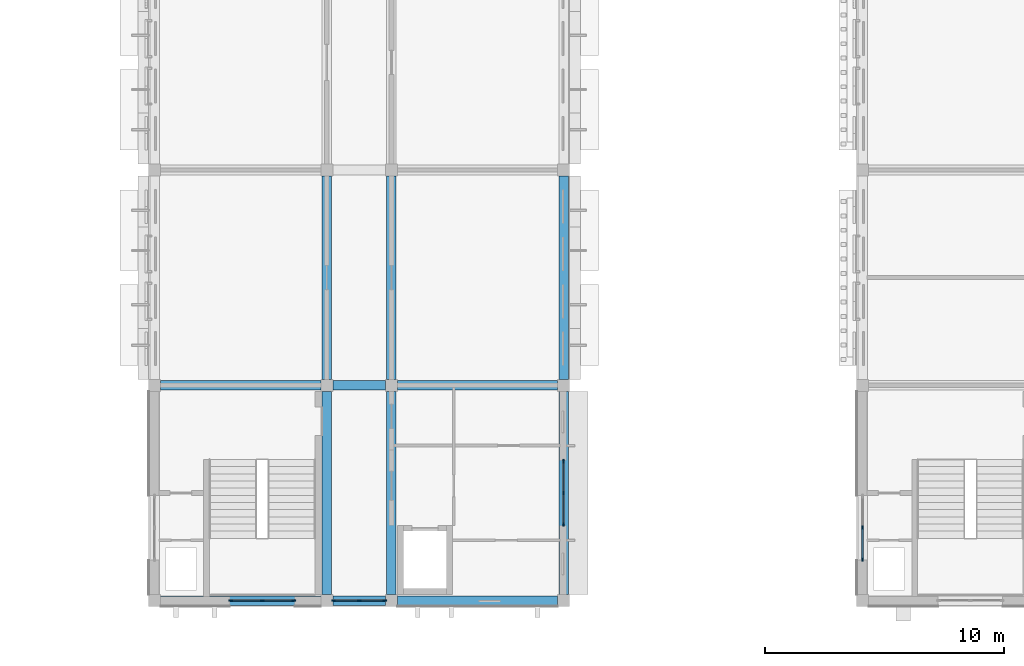
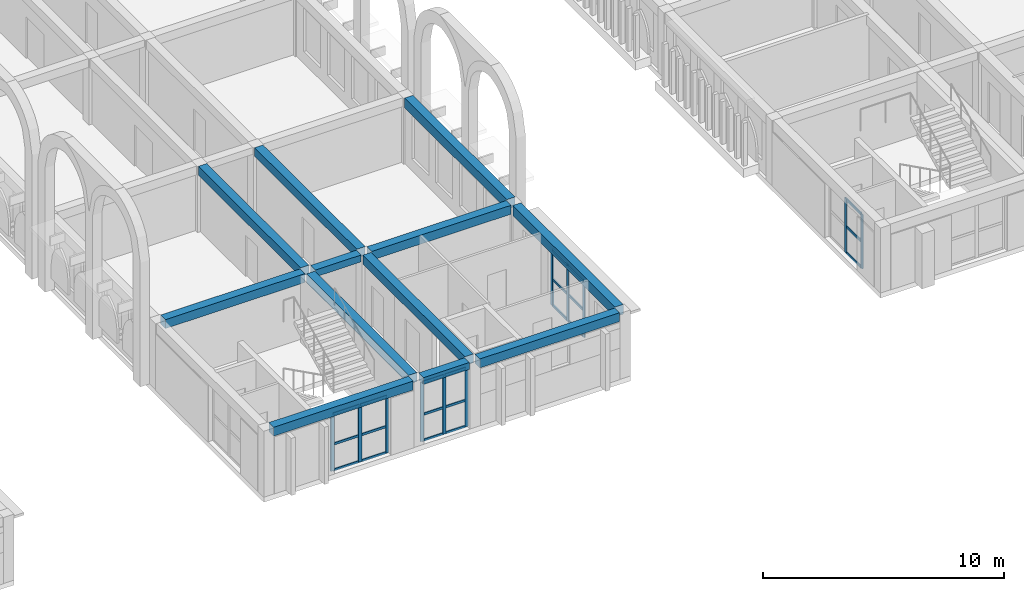
# One storey, part 16 of 70: 32 members, 12 beams, 4 elements without a shape of their own.
"""IFC4 building model written with IfcOpenShell, lengths in metres."""

from ifc_helpers import new_model, si_unit, direction, frame, origin, origin_2d, place, context, subcontext, project, spatial, rectangle, extrude, material, layer, layer_set, material_profile, profile_set, type_object, element, aggregate, save


model = new_model("IFC4")

# Units and contexts
model_context = context("Model", 3, precision=1e-05, world=origin(), true_north=direction((0.0, 1.0)))
body_context = subcontext(model_context, "Body", "Model", "MODEL_VIEW")
ifc_project = project(units=[si_unit("LENGTHUNIT", "METRE"), si_unit("AREAUNIT", "SQUARE_METRE"), si_unit("VOLUMEUNIT", "CUBIC_METRE"), si_unit("PLANEANGLEUNIT", "RADIAN"), si_unit("MASSUNIT", "GRAM", prefix="KILO")], contexts=[model_context])

# Site, building, storey
site_placement = place(None, origin())
site = spatial("IfcSite", under=ifc_project, at=site_placement, CompositionType="ELEMENT")
building_placement = place(site_placement, origin())
building = spatial("IfcBuilding", under=site, at=building_placement, Name="Elbe Cascade School", CompositionType="ELEMENT")
storey_placement = place(building_placement, frame((0.0, 0.0, 8.10009765625)))
storey = spatial("IfcBuildingStorey", under=building, at=storey_placement, Name="L02", CompositionType="ELEMENT", Elevation=8.10009765625)

# Curtain wall, members
ifc_material_1 = material(Name="Aluminium frame with double glazing, bronze anodised", Category="aluminium")
ifc_layer = layer(ifc_material_1, 0.159912109375)
ifc_layer_set = layer_set([ifc_layer], Name="Aluminium frame with double glazing, bronze anodised")
curtain_wall_type = type_object("IfcCurtainWallType", Name="Bars envelope Curtain wall, aluminium, bronze anodised, storey-high slot", PredefinedType="NOTDEFINED", material=ifc_layer_set)
curtain_wall_1_placement = place(storey_placement, origin())
curtain_wall_1 = element("IfcCurtainWall", 1, at=curtain_wall_1_placement, inside=storey, type_object=curtain_wall_type, Name="Curtain wall CW4 B.L02.e1", PredefinedType="NOTDEFINED")
ifc_material_2 = material(Name="Aluminium mullion, bronze anodised", Category="aluminium")
ifc_material_profile_1 = material_profile(ifc_material_2, rectangle(XDim=0.06005859375, YDim=0.159912109375, at=origin_2d()), Name="Bars envelope Curtain wall mullion 60 x 160, aluminium, storey-high slot")
ifc_profile_set_1 = profile_set([ifc_material_profile_1], Name="Aluminium mullion, bronze anodised")
member_type_1 = type_object("IfcMemberType", Name="Bars envelope Curtain wall mullion 60 x 160, aluminium, storey-high slot", PredefinedType="MULLION", material=ifc_profile_set_1)
member_1_placement = place(storey_placement, frame((115.699951171875, 11.820068359375, 0.0), z_axis=(0.0, 0.0, 1.0), x_axis=(1.0, 0.0, 0.0)))
member_1 = element("IfcMember", 2, at=member_1_placement, type_object=member_type_1, Name="CW4 mullion 1", PredefinedType="MULLION", context=body_context, shape_type="SweptSolid", body=[
    extrude(rectangle(XDim=0.06005859375, YDim=0.159912109375, at=origin_2d()), origin(), (0.0, 0.0, 1.0), 2.849853515625),
])
member_2_placement = place(storey_placement, frame((115.699951171875, 10.5, 0.0), z_axis=(0.0, 0.0, 1.0), x_axis=(1.0, 0.0, 0.0)))
member_2 = element("IfcMember", 3, at=member_2_placement, type_object=member_type_1, Name="CW4 mullion 2", PredefinedType="MULLION", context=body_context, shape_type="SweptSolid", body=[
    extrude(rectangle(XDim=0.06005859375, YDim=0.159912109375, at=origin_2d()), origin(), (0.0, 0.0, 1.0), 2.849853515625),
])
member_3_placement = place(storey_placement, frame((115.699951171875, 9.179931640625, 0.0), z_axis=(0.0, 0.0, 1.0), x_axis=(1.0, 0.0, 0.0)))
member_3 = element("IfcMember", 4, at=member_3_placement, type_object=member_type_1, Name="CW4 mullion 3", PredefinedType="MULLION", context=body_context, shape_type="SweptSolid", body=[
    extrude(rectangle(XDim=0.06005859375, YDim=0.159912109375, at=origin_2d()), origin(), (0.0, 0.0, 1.0), 2.849853515625),
])

curtain_wall_2_placement = place(storey_placement, origin())
curtain_wall_2 = element("IfcCurtainWall", 5, at=curtain_wall_2_placement, inside=storey, type_object=curtain_wall_type, Name="Curtain wall CW4 B.L02.s1", PredefinedType="NOTDEFINED")
member_4_placement = place(storey_placement, frame((104.419921875, 6.0, 0.0), z_axis=(0.0, 0.0, 1.0), x_axis=(0.0, -1.0, 0.0)))
member_4 = element("IfcMember", 6, at=member_4_placement, type_object=member_type_1, Name="CW4 mullion 1", PredefinedType="MULLION", context=body_context, shape_type="SweptSolid", body=[
    extrude(rectangle(XDim=0.06005859375, YDim=0.159912109375, at=origin_2d()), origin(), (0.0, 0.0, 1.0), 2.89990234375),
])
member_5_placement = place(storey_placement, frame((103.10009765625, 6.0, 0.0), z_axis=(0.0, 0.0, 1.0), x_axis=(0.0, -1.0, 0.0)))
member_5 = element("IfcMember", 7, at=member_5_placement, type_object=member_type_1, Name="CW4 mullion 2", PredefinedType="MULLION", context=body_context, shape_type="SweptSolid", body=[
    extrude(rectangle(XDim=0.06005859375, YDim=0.159912109375, at=origin_2d()), origin(), (0.0, 0.0, 1.0), 2.89990234375),
])
member_6_placement = place(storey_placement, frame((101.780029296875, 6.0, 0.0), z_axis=(0.0, 0.0, 1.0), x_axis=(0.0, -1.0, 0.0)))
member_6 = element("IfcMember", 8, at=member_6_placement, type_object=member_type_1, Name="CW4 mullion 3", PredefinedType="MULLION", context=body_context, shape_type="SweptSolid", body=[
    extrude(rectangle(XDim=0.06005859375, YDim=0.159912109375, at=origin_2d()), origin(), (0.0, 0.0, 1.0), 2.89990234375),
])

curtain_wall_3_placement = place(storey_placement, origin())
curtain_wall_3 = element("IfcCurtainWall", 9, at=curtain_wall_3_placement, inside=storey, type_object=curtain_wall_type, Name="Curtain wall CW4 B.L02.s2", PredefinedType="NOTDEFINED")
member_7_placement = place(storey_placement, frame((108.219970703125, 6.0, 0.0), z_axis=(0.0, 0.0, 1.0), x_axis=(0.0, -1.0, 0.0)))
member_7 = element("IfcMember", 10, at=member_7_placement, type_object=member_type_1, Name="CW4 mullion 1", PredefinedType="MULLION", context=body_context, shape_type="SweptSolid", body=[
    extrude(rectangle(XDim=0.06005859375, YDim=0.159912109375, at=origin_2d()), origin(), (0.0, 0.0, 1.0), 3.0),
])
member_8_placement = place(storey_placement, frame((107.14990234375, 6.0, 0.0), z_axis=(0.0, 0.0, 1.0), x_axis=(0.0, -1.0, 0.0)))
member_8 = element("IfcMember", 11, at=member_8_placement, type_object=member_type_1, Name="CW4 mullion 2", PredefinedType="MULLION", context=body_context, shape_type="SweptSolid", body=[
    extrude(rectangle(XDim=0.06005859375, YDim=0.159912109375, at=origin_2d()), origin(), (0.0, 0.0, 1.0), 3.0),
])
member_9_placement = place(storey_placement, frame((106.080078125, 6.0, 0.0), z_axis=(0.0, 0.0, 1.0), x_axis=(0.0, -1.0, 0.0)))
member_9 = element("IfcMember", 12, at=member_9_placement, type_object=member_type_1, Name="CW4 mullion 3", PredefinedType="MULLION", context=body_context, shape_type="SweptSolid", body=[
    extrude(rectangle(XDim=0.06005859375, YDim=0.159912109375, at=origin_2d()), origin(), (0.0, 0.0, 1.0), 3.0),
])

curtain_wall_4_placement = place(storey_placement, origin())
curtain_wall_4 = element("IfcCurtainWall", 13, at=curtain_wall_4_placement, inside=storey, type_object=curtain_wall_type, Name="Curtain wall CW4 C.L02.w1", PredefinedType="NOTDEFINED")
member_10_placement = place(storey_placement, frame((128.199951171875, 7.719970703125, 0.0), z_axis=(0.0, 0.0, 1.0), x_axis=(-1.0, 0.0, 0.0)))
member_10 = element("IfcMember", 14, at=member_10_placement, type_object=member_type_1, Name="CW4 mullion 1", PredefinedType="MULLION", context=body_context, shape_type="SweptSolid", body=[
    extrude(rectangle(XDim=0.06005859375, YDim=0.159912109375, at=origin_2d()), origin(), (0.0, 0.0, 1.0), 2.75),
])
member_11_placement = place(storey_placement, frame((128.199951171875, 9.0400390625, 0.0), z_axis=(0.0, 0.0, 1.0), x_axis=(-1.0, 0.0, 0.0)))
member_11 = element("IfcMember", 15, at=member_11_placement, type_object=member_type_1, Name="CW4 mullion 2", PredefinedType="MULLION", context=body_context, shape_type="SweptSolid", body=[
    extrude(rectangle(XDim=0.06005859375, YDim=0.159912109375, at=origin_2d()), origin(), (0.0, 0.0, 1.0), 2.75),
])

# Member
ifc_material_3 = material(Name="Aluminium transom, bronze anodised", Category="aluminium")
ifc_material_profile_2 = material_profile(ifc_material_3, rectangle(XDim=0.06005859375, YDim=0.1201171875, at=origin_2d()), Name="Bars envelope Curtain wall transom 60 x 120, aluminium, storey-high slot")
ifc_profile_set_2 = profile_set([ifc_material_profile_2], Name="Aluminium transom, bronze anodised")
member_type_2 = type_object("IfcMemberType", Name="Bars envelope Curtain wall transom 60 x 120, aluminium, storey-high slot", PredefinedType="USERDEFINED", material=ifc_profile_set_2)
member_12_placement = place(storey_placement, frame((115.699951171875, 11.7900390625, 0.02978515625), z_axis=(0.0, -1.0, 0.0), x_axis=(1.0, 0.0, 0.0)))
member_12 = element("IfcMember", 16, at=member_12_placement, type_object=member_type_2, Name="CW4 transom 1.1", ObjectType="TRANSOM", PredefinedType="USERDEFINED", context=body_context, shape_type="SweptSolid", body=[
    extrude(rectangle(XDim=0.06005859375, YDim=0.1201171875, at=origin_2d()), origin(), (0.0, 0.0, 1.0), 1.260009765625),
])

member_13_placement = place(storey_placement, frame((115.699951171875, 11.7900390625, 1.349853515625), z_axis=(0.0, -1.0, 0.0), x_axis=(1.0, 0.0, 0.0)))
member_13 = element("IfcMember", 17, at=member_13_placement, type_object=member_type_2, Name="CW4 transom 1.2", ObjectType="TRANSOM", PredefinedType="USERDEFINED", context=body_context, shape_type="SweptSolid", body=[
    extrude(rectangle(XDim=0.06005859375, YDim=0.1201171875, at=origin_2d()), origin(), (0.0, 0.0, 1.0), 1.260009765625),
])

member_14_placement = place(storey_placement, frame((115.699951171875, 11.7900390625, 2.81982421875), z_axis=(0.0, -1.0, 0.0), x_axis=(1.0, 0.0, 0.0)))
member_14 = element("IfcMember", 18, at=member_14_placement, type_object=member_type_2, Name="CW4 transom 1.3", ObjectType="TRANSOM", PredefinedType="USERDEFINED", context=body_context, shape_type="SweptSolid", body=[
    extrude(rectangle(XDim=0.06005859375, YDim=0.1201171875, at=origin_2d()), origin(), (0.0, 0.0, 1.0), 1.260009765625),
])

member_15_placement = place(storey_placement, frame((115.699951171875, 10.469970703125, 0.02978515625), z_axis=(0.0, -1.0, 0.0), x_axis=(1.0, 0.0, 0.0)))
member_15 = element("IfcMember", 19, at=member_15_placement, type_object=member_type_2, Name="CW4 transom 2.1", ObjectType="TRANSOM", PredefinedType="USERDEFINED", context=body_context, shape_type="SweptSolid", body=[
    extrude(rectangle(XDim=0.06005859375, YDim=0.1201171875, at=origin_2d()), origin(), (0.0, 0.0, 1.0), 1.260009765625),
])

member_16_placement = place(storey_placement, frame((115.699951171875, 10.469970703125, 1.349853515625), z_axis=(0.0, -1.0, 0.0), x_axis=(1.0, 0.0, 0.0)))
member_16 = element("IfcMember", 20, at=member_16_placement, type_object=member_type_2, Name="CW4 transom 2.2", ObjectType="TRANSOM", PredefinedType="USERDEFINED", context=body_context, shape_type="SweptSolid", body=[
    extrude(rectangle(XDim=0.06005859375, YDim=0.1201171875, at=origin_2d()), origin(), (0.0, 0.0, 1.0), 1.260009765625),
])

member_17_placement = place(storey_placement, frame((115.699951171875, 10.469970703125, 2.81982421875), z_axis=(0.0, -1.0, 0.0), x_axis=(1.0, 0.0, 0.0)))
member_17 = element("IfcMember", 21, at=member_17_placement, type_object=member_type_2, Name="CW4 transom 2.3", ObjectType="TRANSOM", PredefinedType="USERDEFINED", context=body_context, shape_type="SweptSolid", body=[
    extrude(rectangle(XDim=0.06005859375, YDim=0.1201171875, at=origin_2d()), origin(), (0.0, 0.0, 1.0), 1.260009765625),
])

aggregate(curtain_wall_1, [member_1, member_2, member_3, member_12, member_13, member_14, member_15, member_16, member_17])

member_18_placement = place(storey_placement, frame((104.389892578125, 6.0, 0.02978515625), z_axis=(-1.0, 0.0, 0.0), x_axis=(0.0, -1.0, 0.0)))
member_18 = element("IfcMember", 22, at=member_18_placement, type_object=member_type_2, Name="CW4 transom 1.1", ObjectType="TRANSOM", PredefinedType="USERDEFINED", context=body_context, shape_type="SweptSolid", body=[
    extrude(rectangle(XDim=0.06005859375, YDim=0.1201171875, at=origin_2d()), origin(), (0.0, 0.0, 1.0), 1.260009765625),
])

member_19_placement = place(storey_placement, frame((104.389892578125, 6.0, 1.349853515625), z_axis=(-1.0, 0.0, 0.0), x_axis=(0.0, -1.0, 0.0)))
member_19 = element("IfcMember", 23, at=member_19_placement, type_object=member_type_2, Name="CW4 transom 1.2", ObjectType="TRANSOM", PredefinedType="USERDEFINED", context=body_context, shape_type="SweptSolid", body=[
    extrude(rectangle(XDim=0.06005859375, YDim=0.1201171875, at=origin_2d()), origin(), (0.0, 0.0, 1.0), 1.260009765625),
])

member_20_placement = place(storey_placement, frame((104.389892578125, 6.0, 2.869873046875), z_axis=(-1.0, 0.0, 0.0), x_axis=(0.0, -1.0, 0.0)))
member_20 = element("IfcMember", 24, at=member_20_placement, type_object=member_type_2, Name="CW4 transom 1.3", ObjectType="TRANSOM", PredefinedType="USERDEFINED", context=body_context, shape_type="SweptSolid", body=[
    extrude(rectangle(XDim=0.06005859375, YDim=0.1201171875, at=origin_2d()), origin(), (0.0, 0.0, 1.0), 1.260009765625),
])

member_21_placement = place(storey_placement, frame((103.070068359375, 6.0, 0.02978515625), z_axis=(-1.0, 0.0, 0.0), x_axis=(0.0, -1.0, 0.0)))
member_21 = element("IfcMember", 25, at=member_21_placement, type_object=member_type_2, Name="CW4 transom 2.1", ObjectType="TRANSOM", PredefinedType="USERDEFINED", context=body_context, shape_type="SweptSolid", body=[
    extrude(rectangle(XDim=0.06005859375, YDim=0.1201171875, at=origin_2d()), origin(), (0.0, 0.0, 1.0), 1.260009765625),
])

member_22_placement = place(storey_placement, frame((103.070068359375, 6.0, 1.349853515625), z_axis=(-1.0, 0.0, 0.0), x_axis=(0.0, -1.0, 0.0)))
member_22 = element("IfcMember", 26, at=member_22_placement, type_object=member_type_2, Name="CW4 transom 2.2", ObjectType="TRANSOM", PredefinedType="USERDEFINED", context=body_context, shape_type="SweptSolid", body=[
    extrude(rectangle(XDim=0.06005859375, YDim=0.1201171875, at=origin_2d()), origin(), (0.0, 0.0, 1.0), 1.260009765625),
])

member_23_placement = place(storey_placement, frame((103.070068359375, 6.0, 2.869873046875), z_axis=(-1.0, 0.0, 0.0), x_axis=(0.0, -1.0, 0.0)))
member_23 = element("IfcMember", 27, at=member_23_placement, type_object=member_type_2, Name="CW4 transom 2.3", ObjectType="TRANSOM", PredefinedType="USERDEFINED", context=body_context, shape_type="SweptSolid", body=[
    extrude(rectangle(XDim=0.06005859375, YDim=0.1201171875, at=origin_2d()), origin(), (0.0, 0.0, 1.0), 1.260009765625),
])

aggregate(curtain_wall_2, [member_4, member_5, member_6, member_18, member_19, member_20, member_21, member_22, member_23])

member_24_placement = place(storey_placement, frame((108.18994140625, 6.0, 0.02978515625), z_axis=(-1.0, 0.0, 0.0), x_axis=(0.0, -1.0, 0.0)))
member_24 = element("IfcMember", 28, at=member_24_placement, type_object=member_type_2, Name="CW4 transom 1.1", ObjectType="TRANSOM", PredefinedType="USERDEFINED", context=body_context, shape_type="SweptSolid", body=[
    extrude(rectangle(XDim=0.06005859375, YDim=0.1201171875, at=origin_2d()), origin(), (0.0, 0.0, 1.0), 1.010009765625),
])

member_25_placement = place(storey_placement, frame((108.18994140625, 6.0, 1.349853515625), z_axis=(-1.0, 0.0, 0.0), x_axis=(0.0, -1.0, 0.0)))
member_25 = element("IfcMember", 29, at=member_25_placement, type_object=member_type_2, Name="CW4 transom 1.2", ObjectType="TRANSOM", PredefinedType="USERDEFINED", context=body_context, shape_type="SweptSolid", body=[
    extrude(rectangle(XDim=0.06005859375, YDim=0.1201171875, at=origin_2d()), origin(), (0.0, 0.0, 1.0), 1.010009765625),
])

member_26_placement = place(storey_placement, frame((108.18994140625, 6.0, 2.969970703125), z_axis=(-1.0, 0.0, 0.0), x_axis=(0.0, -1.0, 0.0)))
member_26 = element("IfcMember", 30, at=member_26_placement, type_object=member_type_2, Name="CW4 transom 1.3", ObjectType="TRANSOM", PredefinedType="USERDEFINED", context=body_context, shape_type="SweptSolid", body=[
    extrude(rectangle(XDim=0.06005859375, YDim=0.1201171875, at=origin_2d()), origin(), (0.0, 0.0, 1.0), 1.010009765625),
])

member_27_placement = place(storey_placement, frame((107.1201171875, 6.0, 0.02978515625), z_axis=(-1.0, 0.0, 0.0), x_axis=(0.0, -1.0, 0.0)))
member_27 = element("IfcMember", 31, at=member_27_placement, type_object=member_type_2, Name="CW4 transom 2.1", ObjectType="TRANSOM", PredefinedType="USERDEFINED", context=body_context, shape_type="SweptSolid", body=[
    extrude(rectangle(XDim=0.06005859375, YDim=0.1201171875, at=origin_2d()), origin(), (0.0, 0.0, 1.0), 1.010009765625),
])

member_28_placement = place(storey_placement, frame((107.1201171875, 6.0, 1.349853515625), z_axis=(-1.0, 0.0, 0.0), x_axis=(0.0, -1.0, 0.0)))
member_28 = element("IfcMember", 32, at=member_28_placement, type_object=member_type_2, Name="CW4 transom 2.2", ObjectType="TRANSOM", PredefinedType="USERDEFINED", context=body_context, shape_type="SweptSolid", body=[
    extrude(rectangle(XDim=0.06005859375, YDim=0.1201171875, at=origin_2d()), origin(), (0.0, 0.0, 1.0), 1.010009765625),
])

member_29_placement = place(storey_placement, frame((107.1201171875, 6.0, 2.969970703125), z_axis=(-1.0, 0.0, 0.0), x_axis=(0.0, -1.0, 0.0)))
member_29 = element("IfcMember", 33, at=member_29_placement, type_object=member_type_2, Name="CW4 transom 2.3", ObjectType="TRANSOM", PredefinedType="USERDEFINED", context=body_context, shape_type="SweptSolid", body=[
    extrude(rectangle(XDim=0.06005859375, YDim=0.1201171875, at=origin_2d()), origin(), (0.0, 0.0, 1.0), 1.010009765625),
])

aggregate(curtain_wall_3, [member_7, member_8, member_9, member_24, member_25, member_26, member_27, member_28, member_29])

member_30_placement = place(storey_placement, frame((128.199951171875, 7.75, 0.02978515625), z_axis=(0.0, 1.0, 0.0), x_axis=(-1.0, 0.0, 0.0)))
member_30 = element("IfcMember", 34, at=member_30_placement, type_object=member_type_2, Name="CW4 transom 1.1", ObjectType="TRANSOM", PredefinedType="USERDEFINED", context=body_context, shape_type="SweptSolid", body=[
    extrude(rectangle(XDim=0.06005859375, YDim=0.1201171875, at=origin_2d()), origin(), (0.0, 0.0, 1.0), 1.260009765625),
])

member_31_placement = place(storey_placement, frame((128.199951171875, 7.75, 1.349853515625), z_axis=(0.0, 1.0, 0.0), x_axis=(-1.0, 0.0, 0.0)))
member_31 = element("IfcMember", 35, at=member_31_placement, type_object=member_type_2, Name="CW4 transom 1.2", ObjectType="TRANSOM", PredefinedType="USERDEFINED", context=body_context, shape_type="SweptSolid", body=[
    extrude(rectangle(XDim=0.06005859375, YDim=0.1201171875, at=origin_2d()), origin(), (0.0, 0.0, 1.0), 1.260009765625),
])

member_32_placement = place(storey_placement, frame((128.199951171875, 7.75, 2.719970703125), z_axis=(0.0, 1.0, 0.0), x_axis=(-1.0, 0.0, 0.0)))
member_32 = element("IfcMember", 36, at=member_32_placement, type_object=member_type_2, Name="CW4 transom 1.3", ObjectType="TRANSOM", PredefinedType="USERDEFINED", context=body_context, shape_type="SweptSolid", body=[
    extrude(rectangle(XDim=0.06005859375, YDim=0.1201171875, at=origin_2d()), origin(), (0.0, 0.0, 1.0), 1.260009765625),
])

aggregate(curtain_wall_4, [member_10, member_11, member_30, member_31, member_32])

# Beams
ifc_material_4 = material(Name="Concrete C30/37", Category="concrete")
ifc_material_profile_3 = material_profile(ifc_material_4, rectangle(XDim=0.39990234375, YDim=0.35009765625, at=origin_2d()), Name="RC 400x350")
ifc_profile_set_3 = profile_set([ifc_material_profile_3], Name="Concrete C30/37")
beam_type_1 = type_object("IfcBeamType", Name="RC 400x350 beam", PredefinedType="BEAM", material=ifc_profile_set_3)
for number, where, z_axis, x_axis, name in (
    (37, (106.050048828125, 6.0, 3.1748046875), (1.0, 0.0, 0.0), (0.0, 1.0, 0.0), "RC 400x350 beam B3"),
    (38, (106.050048828125, 15.0, 3.1748046875), (1.0, 0.0, 0.0), (0.0, 1.0, 0.0), "RC 400x350 beam B3"),
):
    element("IfcBeam", number, at=place(storey_placement, frame(where, z_axis=z_axis, x_axis=x_axis)), inside=storey, type_object=beam_type_1, Name=name, PredefinedType="BEAM", context=body_context, shape_type="SweptSolid", body=[
        extrude(rectangle(XDim=0.39990234375, YDim=0.35009765625, at=origin_2d()), origin(), (0.0, 0.0, 1.0), 2.199951171875),
    ])
ifc_material_5 = material(Name="Concrete C30/37", Category="concrete")
ifc_material_profile_4 = material_profile(ifc_material_5, rectangle(XDim=0.39990234375, YDim=0.449951171875, at=origin_2d()), Name="RC 400x450")
ifc_profile_set_4 = profile_set([ifc_material_profile_4], Name="Concrete C30/37")
beam_type_2 = type_object("IfcBeamType", Name="RC 400x450 beam", PredefinedType="BEAM", material=ifc_profile_set_4)
for number, where, z_axis, x_axis, name in (
    (39, (105.800048828125, 6.25, 3.125), (0.0, 1.0, 0.0), (-1.0, 0.0, 0.0), "RC 400x450 beam B2"),
    (40, (105.800048828125, 15.25, 3.125), (0.0, 1.0, 0.0), (-1.0, 0.0, 0.0), "RC 400x450 beam B2"),
    (41, (108.5, 6.25, 3.125), (0.0, 1.0, 0.0), (-1.0, 0.0, 0.0), "RC 400x450 beam B2"),
    (42, (108.5, 15.25, 3.125), (0.0, 1.0, 0.0), (-1.0, 0.0, 0.0), "RC 400x450 beam B2"),
):
    element("IfcBeam", number, at=place(storey_placement, frame(where, z_axis=z_axis, x_axis=x_axis)), inside=storey, type_object=beam_type_2, Name=name, PredefinedType="BEAM", context=body_context, shape_type="SweptSolid", body=[
        extrude(rectangle(XDim=0.39990234375, YDim=0.449951171875, at=origin_2d()), origin(), (0.0, 0.0, 1.0), 8.5),
    ])
for number, where, z_axis, x_axis, name in (
    (43, (98.85009765625, 6.0, 3.125), (1.0, 0.0, 0.0), (0.0, 1.0, 0.0), "RC 400x450 beam B2"),
    (44, (108.75, 6.0, 3.125), (1.0, 0.0, 0.0), (0.0, 1.0, 0.0), "RC 400x450 beam B2"),
    (45, (98.85009765625, 15.0, 3.125), (1.0, 0.0, 0.0), (0.0, 1.0, 0.0), "RC 400x450 beam B2"),
    (46, (108.75, 15.0, 3.125), (1.0, 0.0, 0.0), (0.0, 1.0, 0.0), "RC 400x450 beam B2"),
):
    element("IfcBeam", number, at=place(storey_placement, frame(where, z_axis=z_axis, x_axis=x_axis)), inside=storey, type_object=beam_type_2, Name=name, PredefinedType="BEAM", context=body_context, shape_type="SweptSolid", body=[
        extrude(rectangle(XDim=0.39990234375, YDim=0.449951171875, at=origin_2d()), origin(), (0.0, 0.0, 1.0), 6.699951171875),
    ])
ifc_material_6 = material(Name="Concrete C30/37", Category="concrete")
ifc_material_profile_5 = material_profile(ifc_material_6, rectangle(XDim=0.39990234375, YDim=0.5, at=origin_2d()), Name="RC 400x500")
ifc_profile_set_5 = profile_set([ifc_material_profile_5], Name="Concrete C30/37")
beam_type_3 = type_object("IfcBeamType", Name="RC 400x500 beam", PredefinedType="BEAM", material=ifc_profile_set_5)
for number, where, z_axis, x_axis, name in (
    (47, (115.699951171875, 6.25, 3.099853515625), (0.0, 1.0, 0.0), (-1.0, 0.0, 0.0), "RC 400x500 beam B1"),
    (48, (115.699951171875, 15.25, 3.099853515625), (0.0, 1.0, 0.0), (-1.0, 0.0, 0.0), "RC 400x500 beam B1"),
):
    element("IfcBeam", number, at=place(storey_placement, frame(where, z_axis=z_axis, x_axis=x_axis)), inside=storey, type_object=beam_type_3, Name=name, PredefinedType="BEAM", context=body_context, shape_type="SweptSolid", body=[
        extrude(rectangle(XDim=0.39990234375, YDim=0.5, at=origin_2d()), origin(), (0.0, 0.0, 1.0), 8.5),
    ])

save(model, "model.ifc")
